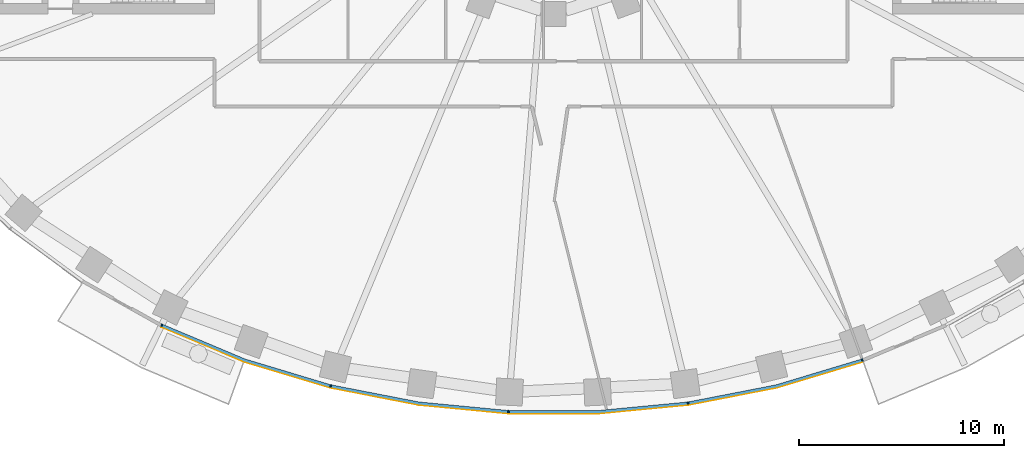
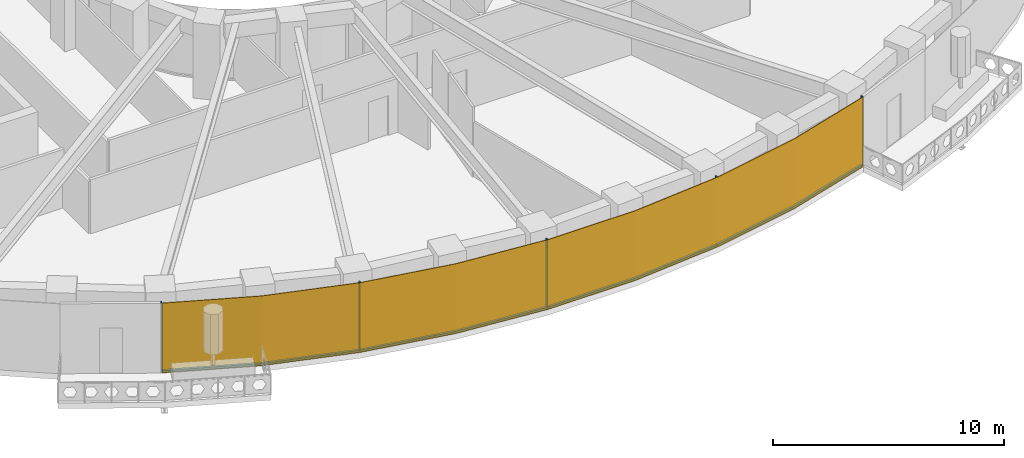
# One storey, part 9 of 15: 9 members, 1 curtain wall.
"""IFC4 building model written with IfcOpenShell, lengths in metres."""

import ifcopenshell
import ifcopenshell.guid

model = None  # the IFC model being written
_history = None  # IfcOwnerHistory: only IFC2X3 demands one
_inside = {}  # id of a spatial element -> (the spatial element, [elements in it])
_under = {}  # id of a project, library or spatial element -> (it, [spatial elements below it])
_declared = {}  # id of a project -> (the project, [libraries it declares])
_typed = {}  # id of a type object -> (the type object, [elements of that type])
_made_of = {}  # id of a material, layer set ... -> (it, [elements and type objects made of it])


def new_model(schema):
    """Start an empty IFC model of exactly this schema.

    Asked for "IFC4X3", IfcOpenShell would pick the latest addendum, in which some entities
    have other attributes; the version numbers below select the first issue.
    IFC2X3 requires an IfcOwnerHistory on every rooted entity: one is made here for all.
    """
    global model, _history
    if schema == "IFC4X3":
        model = ifcopenshell.file(schema_version=(4, 3, 0, 0))
    else:
        model = ifcopenshell.file(schema=schema)
    _inside.clear()
    _under.clear()
    _declared.clear()
    _typed.clear()
    _made_of.clear()
    _history = None
    if model.schema == "IFC2X3":
        org = make("IfcOrganization", Name="unknown")
        user = make(
            "IfcPersonAndOrganization",
            ThePerson=make("IfcPerson", FamilyName="unknown"),
            TheOrganization=org,
        )
        app = make(
            "IfcApplication",
            ApplicationDeveloper=org,
            Version="unknown",
            ApplicationFullName="unknown",
            ApplicationIdentifier="unknown",
        )
        _history = make(
            "IfcOwnerHistory",
            OwningUser=user,
            OwningApplication=app,
            ChangeAction="ADDED",
            CreationDate=0,
        )
    return model


def make(cls, **values):
    """One entity of the class cls with the attributes given. An attribute that is None is left unset."""
    return model.create_entity(
        cls, **{name: value for name, value in values.items() if value is not None}
    )


def rooted(cls, **values):
    """An entity with a GlobalId (a new one), such as an element, a storey or a relation."""
    return make(cls, GlobalId=ifcopenshell.guid.new(), OwnerHistory=_history, **values)


def si_unit(unit_type, name, prefix=None):
    """IfcSIUnit, for example si_unit("LENGTHUNIT", "METRE", prefix="MILLI")."""
    return make("IfcSIUnit", UnitType=unit_type, Prefix=prefix, Name=name)


def assignment(units):
    """IfcUnitAssignment: the units of a project."""
    return None if units is None else make("IfcUnitAssignment", Units=units)


def point(xyz):
    """IfcCartesianPoint."""
    return None if xyz is None else make("IfcCartesianPoint", Coordinates=xyz)


def direction(xyz):
    """IfcDirection."""
    return None if xyz is None else make("IfcDirection", DirectionRatios=xyz)


def frame(location, z_axis=None, x_axis=None):
    """IfcAxis2Placement3D, a coordinate frame: its origin and axes. An axis left out is left unset."""
    return make(
        "IfcAxis2Placement3D",
        Location=point(location),
        Axis=direction(z_axis),
        RefDirection=direction(x_axis),
    )


def frame_2d(location, x_axis=None):
    """IfcAxis2Placement2D, a coordinate frame in the plane: its origin and x axis."""
    return make(
        "IfcAxis2Placement2D", Location=point(location), RefDirection=direction(x_axis)
    )


def origin():
    """The frame at (0, 0, 0) with its axes left unset."""
    return frame((0.0, 0.0, 0.0))


def origin_2d():
    """The frame at (0, 0) in the plane with its x axis left unset."""
    return frame_2d((0.0, 0.0))


def place(relative_to, where):
    """IfcLocalPlacement: puts the frame where relative to a parent placement (None: the world)."""
    return make(
        "IfcLocalPlacement", PlacementRelTo=relative_to, RelativePlacement=where
    )


def context(
    kind, dimensions, precision=None, world=None, true_north=None, identifier=None
):
    """IfcGeometricRepresentationContext, for example the 3D "Model" context."""
    return make(
        "IfcGeometricRepresentationContext",
        ContextIdentifier=identifier,
        ContextType=kind,
        CoordinateSpaceDimension=dimensions,
        Precision=precision,
        WorldCoordinateSystem=world,
        TrueNorth=true_north,
    )


def subcontext(parent, identifier, kind, view, scale=None):
    """IfcGeometricRepresentationSubContext, for example "Body" below "Model"."""
    return make(
        "IfcGeometricRepresentationSubContext",
        ContextIdentifier=identifier,
        ContextType=kind,
        ParentContext=parent,
        TargetScale=scale,
        TargetView=view,
    )


def project(units=None, contexts=None):
    """IfcProject with its units and contexts."""
    return rooted(
        "IfcProject",
        Name="project",
        RepresentationContexts=contexts,
        UnitsInContext=assignment(units),
    )


def spatial(cls, under=None, at=None, **own):
    """A site, building, storey or space (cls), placed at a placement, below another one or the project."""
    s = rooted(cls, ObjectPlacement=at, **own)
    if under is not None:
        _under.setdefault(under.id(), (under, []))[1].append(s)
    return s


def polyline(points):
    """IfcPolyline through the points."""
    return make("IfcPolyline", Points=[point(p) for p in points])


def profile(cls, at=None, kind="AREA", **sizes):
    """A parametric profile (cls). Its sizes go by their IFC names, for example OverallWidth=200.0."""
    return make(cls, ProfileType=kind, Position=at, **sizes)


def rectangle(**sizes):
    """IfcRectangleProfileDef."""
    return profile("IfcRectangleProfileDef", **sizes)


def outline(outer, holes=None, kind="AREA"):
    """IfcArbitraryClosedProfileDef: a profile drawn as a closed curve; with holes, ...WithVoids."""
    if holes is None:
        return make("IfcArbitraryClosedProfileDef", ProfileType=kind, OuterCurve=outer)
    return make(
        "IfcArbitraryProfileDefWithVoids",
        ProfileType=kind,
        OuterCurve=outer,
        InnerCurves=holes,
    )


def extrude(swept, where, along, depth):
    """IfcExtrudedAreaSolid: the profile swept, set in the frame where, extruded along a direction by depth."""
    return make(
        "IfcExtrudedAreaSolid",
        SweptArea=swept,
        Position=where,
        ExtrudedDirection=direction(along),
        Depth=depth,
    )


def shape(context_of_items, identifier, shape_type, items):
    """IfcShapeRepresentation: the items that make up one representation, for example the "Body"."""
    return make(
        "IfcShapeRepresentation",
        ContextOfItems=context_of_items,
        RepresentationIdentifier=identifier,
        RepresentationType=shape_type,
        Items=items,
    )


def material(Name=None, Category=None):
    """IfcMaterial."""
    return make("IfcMaterial", Name=Name, Category=Category)


def layer(
    of_material, thickness, ventilated=None, Name=None, Category=None, Priority=None
):
    """IfcMaterialLayer: one layer of a wall or slab, of a material (None: an air gap)."""
    return make(
        "IfcMaterialLayer",
        Material=of_material,
        LayerThickness=thickness,
        IsVentilated=ventilated,
        Name=Name,
        Category=Category,
        Priority=Priority,
    )


def layer_set(layers, Name=None):
    """IfcMaterialLayerSet."""
    return make("IfcMaterialLayerSet", MaterialLayers=layers, LayerSetName=Name)


def material_profile(
    of_material, cross_section, Name=None, Category=None, Priority=None
):
    """IfcMaterialProfile: a cross section and its material."""
    return make(
        "IfcMaterialProfile",
        Name=Name,
        Material=of_material,
        Profile=cross_section,
        Priority=Priority,
        Category=Category,
    )


def profile_set(profiles, Name=None, composite=None):
    """IfcMaterialProfileSet."""
    return make(
        "IfcMaterialProfileSet",
        Name=Name,
        MaterialProfiles=profiles,
        CompositeProfile=composite,
    )


def made_of(thing, what):
    """Note that an element or type object is made of a material, layer set ...; save() writes the relation."""
    if what is not None:
        _made_of.setdefault(what.id(), (what, []))[1].append(thing)
    return thing


def type_object(cls, material=None, **own):
    """A type object (cls), such as IfcWallType, which elements share."""
    return made_of(rooted(cls, **own), material)


def element(
    cls,
    number,
    at=None,
    inside=None,
    cuts=None,
    type_object=None,
    material=None,
    context=None,
    identifier="Body",
    shape_type=None,
    held_by="IfcProductDefinitionShape",
    body=None,
    shapes=None,
    **own,
):
    """One element of the class cls, such as IfcWall. Its Tag is "e" and its number.

    at: its placement. inside: the storey or other place that contains it. cuts: it is an
    opening in that element (IfcRelVoidsElement). A single representation is given by context,
    identifier, shape_type and body (its items); several are given by shapes. held_by: the class
    of the entity that holds the representations. save() writes the other relations.
    """
    e = rooted(cls, Tag="e%d" % number, ObjectPlacement=at, **own)
    if body is not None:
        shapes = [shape(context, identifier, shape_type, body)]
    if shapes is not None:
        e.Representation = make(held_by, Representations=shapes)
    if inside is not None:
        _inside.setdefault(inside.id(), (inside, []))[1].append(e)
    if cuts is not None:
        rooted(
            "IfcRelVoidsElement", RelatingBuildingElement=cuts, RelatedOpeningElement=e
        )
    if type_object is not None:
        _typed.setdefault(type_object.id(), (type_object, []))[1].append(e)
    return made_of(e, material)


def aggregate(whole, parts):
    """IfcRelAggregates: a whole, such as a stair, and the parts it consists of."""
    return rooted("IfcRelAggregates", RelatingObject=whole, RelatedObjects=parts)


def save(model, path):
    """Write the relations noted so far, then the file.

    IfcRelAggregates (storeys below a building ...), IfcRelContainedInSpatialStructure (elements
    in a storey), IfcRelDefinesByType, IfcRelAssociatesMaterial and IfcRelDeclares: one each for
    every whole, place, type object, material and project.
    """
    for whole, parts in _under.values():
        aggregate(whole, parts)
    for where, things in _inside.values():
        rooted(
            "IfcRelContainedInSpatialStructure",
            RelatedElements=things,
            RelatingStructure=where,
        )
    for kind, things in _typed.values():
        rooted("IfcRelDefinesByType", RelatedObjects=things, RelatingType=kind)
    for what, things in _made_of.values():
        rooted("IfcRelAssociatesMaterial", RelatedObjects=things, RelatingMaterial=what)
    for by, libraries in _declared.values():
        rooted("IfcRelDeclares", RelatingContext=by, RelatedDefinitions=libraries)
    model.write(path)


model = new_model("IFC4")

# Units and contexts
model_context = context("Model", 3, precision=1e-05, world=origin(), true_north=direction((0.0, 1.0)))
body_context = subcontext(model_context, "Body", "Model", "MODEL_VIEW")
ifc_project = project(units=[si_unit("LENGTHUNIT", "METRE"), si_unit("AREAUNIT", "SQUARE_METRE"), si_unit("VOLUMEUNIT", "CUBIC_METRE"), si_unit("PLANEANGLEUNIT", "RADIAN"), si_unit("MASSUNIT", "GRAM", prefix="KILO")], contexts=[model_context])

# Member
ifc_material_1 = material(Name="Aluminium 6063-T6 black anodised", Category="aluminium")
ifc_material_profile = material_profile(ifc_material_1, rectangle(XDim=0.1201171875, YDim=0.06005859375, at=origin_2d()), Name="120x60")
ifc_profile_set = profile_set([ifc_material_profile], Name="Aluminium 6063-T6 black anodised")
member_type_1 = type_object("IfcMemberType", Name="ENV-MULLION-A-120", PredefinedType="MULLION", material=ifc_profile_set)
site_placement = place(None, origin())
building_placement = place(site_placement, origin())
storey_placement = place(building_placement, frame((0.0, 0.0, 104.0)))
member_1_placement = place(storey_placement, frame((-19.06787109375, -23.6474609375, 0.0), z_axis=(0.0, 0.0, 1.0), x_axis=(0.439237769837, 0.898370848563, 0.0)))
member_1 = element("IfcMember", 1, at=member_1_placement, type_object=member_type_1, Name="Mullion A radial 31", PredefinedType="MULLION", context=body_context, shape_type="SweptSolid", body=[
    extrude(rectangle(XDim=0.1201171875, YDim=0.06005859375, at=origin_2d()), origin(), (0.0, 0.0, 1.0), 3.699951171875),
])

member_2_placement = place(storey_placement, frame((-10.84326171875, -26.60498046875, 0.0), z_axis=(0.0, 0.0, 1.0), x_axis=(0.239799081534, 0.970822538106, 0.0)))
member_2 = element("IfcMember", 2, at=member_2_placement, type_object=member_type_1, Name="Mullion A radial 33", PredefinedType="MULLION", context=body_context, shape_type="SweptSolid", body=[
    extrude(rectangle(XDim=0.1201171875, YDim=0.06005859375, at=origin_2d()), origin(), (0.0, 0.0, 1.0), 3.699951171875),
])

member_3_placement = place(storey_placement, frame((-2.188720703125, -27.856201171875, 0.0), z_axis=(0.0, 0.0, 1.0), x_axis=(0.047557873581, 0.998868484166, 0.0)))
member_3 = element("IfcMember", 3, at=member_3_placement, type_object=member_type_1, Name="Mullion A radial 35", PredefinedType="MULLION", context=body_context, shape_type="SweptSolid", body=[
    extrude(rectangle(XDim=0.1201171875, YDim=0.06005859375, at=origin_2d()), origin(), (0.0, 0.0, 1.0), 3.699951171875),
])

member_4_placement = place(storey_placement, frame((6.54638671875, -27.440185546875, 0.0), z_axis=(0.0, 0.0, 1.0), x_axis=(-0.143082012705, 0.989710835366, 0.0)))
member_4 = element("IfcMember", 4, at=member_4_placement, type_object=member_type_1, Name="Mullion A radial 37", PredefinedType="MULLION", context=body_context, shape_type="SweptSolid", body=[
    extrude(rectangle(XDim=0.1201171875, YDim=0.06005859375, at=origin_2d()), origin(), (0.0, 0.0, 1.0), 3.699951171875),
])

member_5_placement = place(storey_placement, frame((15.0341796875, -25.34375, 0.0), z_axis=(0.0, 0.0, 1.0), x_axis=(-0.338379256581, 0.941009818608, 0.0)))
member_5 = element("IfcMember", 5, at=member_5_placement, type_object=member_type_1, Name="Mullion A radial 39", PredefinedType="MULLION", context=body_context, shape_type="SweptSolid", body=[
    extrude(rectangle(XDim=0.1201171875, YDim=0.06005859375, at=origin_2d()), origin(), (0.0, 0.0, 1.0), 3.699951171875),
])

ifc_material_2 = material(Name="Aluminium 6063-T6 black anodised", Category="aluminium")
member_type_2 = type_object("IfcMemberType", Name="ENV-TRANSOM-A", PredefinedType="USERDEFINED", material=ifc_material_2)
member_6_placement = place(storey_placement, origin())
member_6 = element("IfcMember", 6, at=member_6_placement, type_object=member_type_2, Name="Transom A radial 31-33", ObjectType="TRANSOM", PredefinedType="USERDEFINED", context=body_context, shape_type="SweptSolid", body=[
    extrude(outline(polyline([(-19.068359375, -23.71240234375), (-15.054443359375, -25.400146484375), (-10.884521484375, -26.655029296875), (-10.855712890625, -26.53857421875), (-15.013916015625, -25.287109375), (-19.015380859375, -23.604248046875), (-19.068359375, -23.71240234375)])), origin(), (0.0, 0.0, 1.0), 0.10009765625),
])

member_7_placement = place(storey_placement, origin())
member_7 = element("IfcMember", 7, at=member_7_placement, type_object=member_type_2, Name="Transom A radial 33-35", ObjectType="TRANSOM", PredefinedType="USERDEFINED", context=body_context, shape_type="SweptSolid", body=[
    extrude(outline(polyline([(-10.830078125, -26.66845703125), (-6.55517578125, -27.49951171875), (-2.219482421875, -27.913330078125), (-2.2138671875, -27.793212890625), (-6.537841796875, -27.380615234375), (-10.80126953125, -26.552001953125), (-10.830078125, -26.66845703125)])), origin(), (0.0, 0.0, 1.0), 0.10009765625),
])

member_8_placement = place(storey_placement, origin())
member_8 = element("IfcMember", 8, at=member_8_placement, type_object=member_type_2, Name="Transom A radial 35-37", ObjectType="TRANSOM", PredefinedType="USERDEFINED", context=body_context, shape_type="SweptSolid", body=[
    extrude(outline(polyline([(-2.163818359375, -27.916015625), (2.191650390625, -27.916015625), (6.527099609375, -27.502197265625), (6.510009765625, -27.38330078125), (2.185791015625, -27.7958984375), (-2.157958984375, -27.7958984375), (-2.163818359375, -27.916015625)])), origin(), (0.0, 0.0, 1.0), 0.10009765625),
])

member_9_placement = place(storey_placement, origin())
member_9 = element("IfcMember", 9, at=member_9_placement, type_object=member_type_2, Name="Transom A radial 37-39", ObjectType="TRANSOM", PredefinedType="USERDEFINED", context=body_context, shape_type="SweptSolid", body=[
    extrude(outline(polyline([(6.58251953125, -27.494140625), (10.857666015625, -26.6630859375), (15.027587890625, -25.408203125), (14.987060546875, -25.295166015625), (10.828857421875, -26.54638671875), (6.5654296875, -27.375244140625), (6.58251953125, -27.494140625)])), origin(), (0.0, 0.0, 1.0), 0.10009765625),
])

# Site, building, storey
site = spatial("IfcSite", under=ifc_project, at=site_placement, CompositionType="ELEMENT")
building = spatial("IfcBuilding", under=site, at=building_placement, Name="Noorbagh Ring Tower", CompositionType="ELEMENT")
storey = spatial("IfcBuildingStorey", under=building, at=storey_placement, Name="L23", CompositionType="ELEMENT", Elevation=104.0)

# Curtain wall
ifc_material_3 = material(Name="Glass dark tinted laminated", Category="glass")
ifc_layer = layer(ifc_material_3, 0.031982421875)
ifc_layer_set = layer_set([ifc_layer], Name="Glass dark tinted laminated")
curtain_wall_type = type_object("IfcCurtainWallType", Name="ENV-CW-A", PredefinedType="NOTDEFINED", material=ifc_layer_set)
curtain_wall_placement = place(storey_placement, origin())
curtain_wall = element("IfcCurtainWall", 10, at=curtain_wall_placement, inside=storey, type_object=curtain_wall_type, Name="Curtain wall A R31", PredefinedType="NOTDEFINED", context=body_context, shape_type="SweptSolid", body=[
    extrude(outline(polyline([(-19.08984375, -23.738037109375), (-15.065185546875, -25.430419921875), (-10.865234375, -26.6943359375), (-6.559814453125, -27.53125), (-2.193115234375, -27.947998046875), (2.193115234375, -27.947998046875), (6.559814453125, -27.53125), (10.865234375, -26.6943359375), (15.046142578125, -25.43603515625), (15.035400390625, -25.406005859375), (10.857666015625, -26.6630859375), (6.55517578125, -27.49951171875), (2.191650390625, -27.916015625), (-2.191650390625, -27.916015625), (-6.55517578125, -27.49951171875), (-10.857666015625, -26.6630859375), (-15.054443359375, -25.400146484375), (-19.07568359375, -23.709228515625), (-19.08984375, -23.738037109375)])), origin(), (0.0, 0.0, 1.0), 3.699951171875),
])

aggregate(curtain_wall, [member_1, member_2, member_3, member_4, member_5, member_6, member_7, member_8, member_9])

save(model, "model.ifc")
